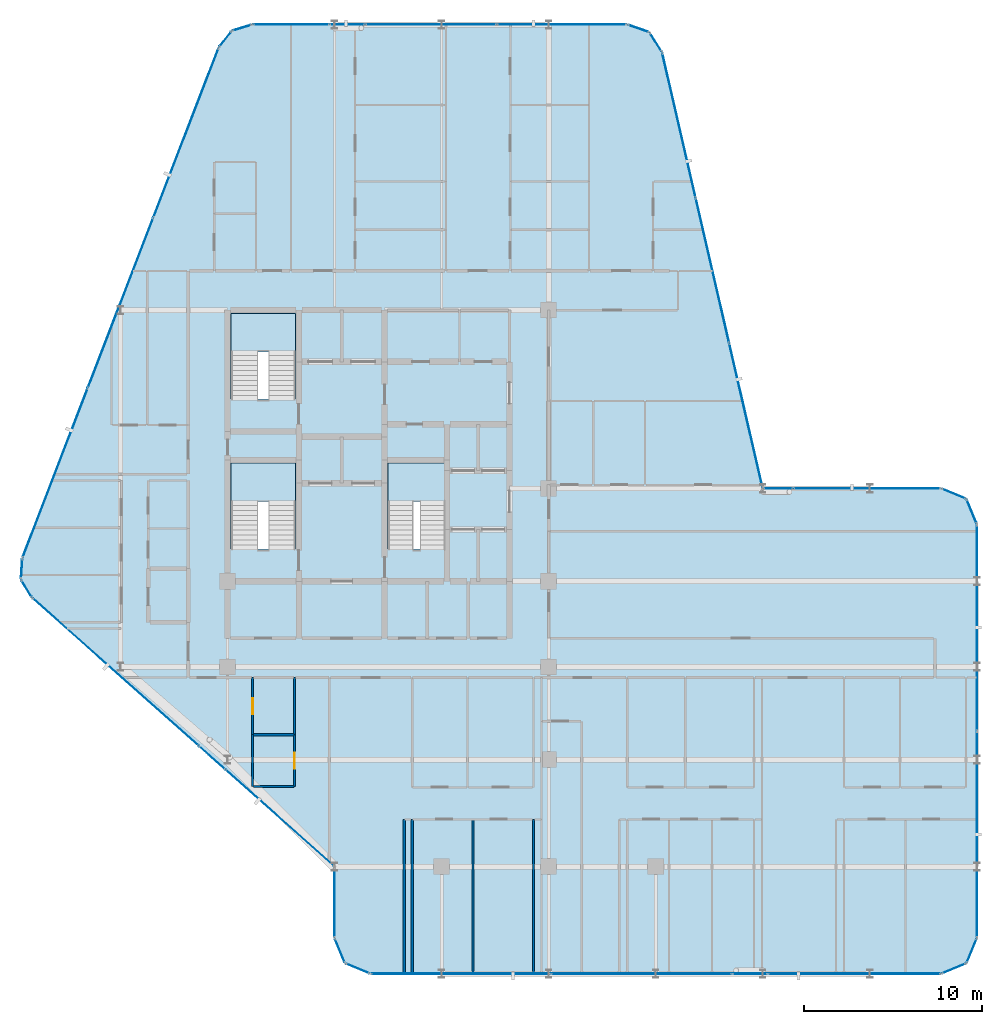
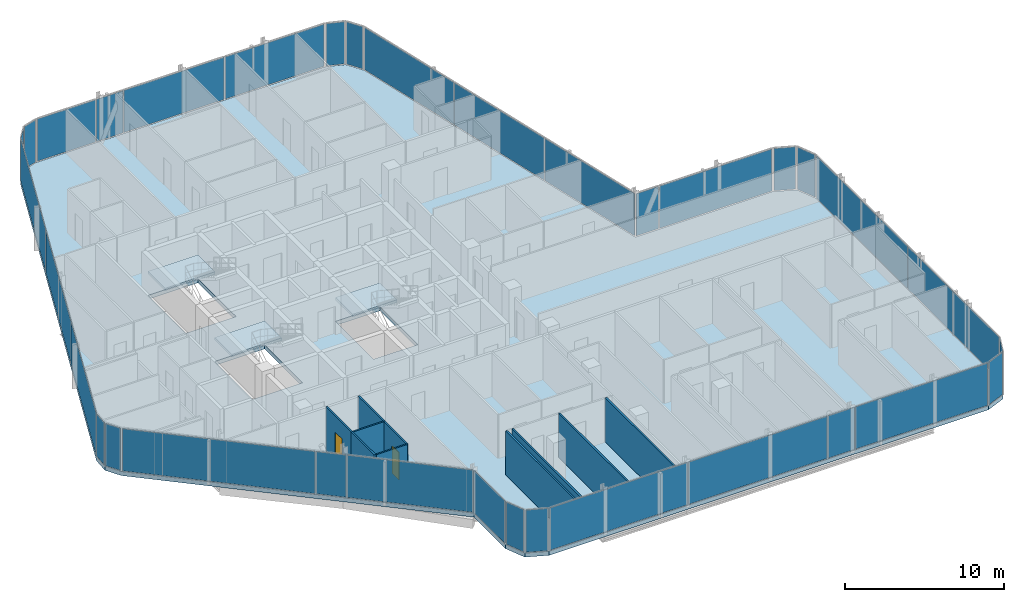
# One storey, part 22 of 29: 34 plates, 10 walls, 4 slabs, 2 doors, 2 openings, 30 elements without a shape of their own.
"""IFC4 building model written with IfcOpenShell, lengths in metres."""

from ifc_helpers import new_model, si_unit, direction, frame, frame_2d, origin, origin_2d, place, context, subcontext, project, spatial, polyline, rectangle, outline, extrude, material, layer, layer_set, type_object, element, fill, aggregate, save


model = new_model("IFC4")

# Units and contexts
model_context = context("Model", 3, precision=1e-05, world=origin(), true_north=direction((0.0, 1.0)))
body_context = subcontext(model_context, "Body", "Model", "MODEL_VIEW")
ifc_project = project(units=[si_unit("LENGTHUNIT", "METRE"), si_unit("AREAUNIT", "SQUARE_METRE"), si_unit("VOLUMEUNIT", "CUBIC_METRE"), si_unit("PLANEANGLEUNIT", "RADIAN"), si_unit("MASSUNIT", "GRAM", prefix="KILO")], contexts=[model_context])

# Site, building, storey
site_placement = place(None, origin())
site = spatial("IfcSite", under=ifc_project, at=site_placement, CompositionType="ELEMENT")
building_placement = place(site_placement, origin())
building = spatial("IfcBuilding", under=site, at=building_placement, Name="Keshet Zoharim Tower", CompositionType="ELEMENT")
storey_placement = place(building_placement, frame((0.0, 0.0, 172.800048828125)))
storey = spatial("IfcBuildingStorey", under=building, at=storey_placement, Name="L42", CompositionType="ELEMENT", Elevation=172.800048828125)

# Curtain wall, plate
ifc_material_1 = material(Name="Aluminium 6063-T6", Category="aluminium")
ifc_layer_1 = layer(ifc_material_1, 0.139892578125)
ifc_layer_set_1 = layer_set([ifc_layer_1], Name="Aluminium 6063-T6")
curtain_wall_type = type_object("IfcCurtainWallType", Name="CW-SYS-05", PredefinedType="NOTDEFINED", material=ifc_layer_set_1)
curtain_wall_1_placement = place(storey_placement, origin())
curtain_wall_1 = element("IfcCurtainWall", 1, at=curtain_wall_1_placement, inside=storey, type_object=curtain_wall_type, Name="L42 Unitised Curtain Wall 01", PredefinedType="NOTDEFINED")
ifc_material_2 = material(Name="Insulated Low-E Clear Glass", Category="glass")
ifc_layer_2 = layer(ifc_material_2, 0.031982421875)
ifc_layer_set_2 = layer_set([ifc_layer_2], Name="Insulated Low-E Clear Glass")
plate_type_1 = type_object("IfcPlateType", Name="CWP-02", PredefinedType="CURTAIN_PANEL", material=ifc_layer_set_2)
plate_1_placement = place(storey_placement, frame((55.70703125, 27.60693359375, 0.070068359375), z_axis=(0.0, 0.0, 1.0), x_axis=(0.92380975372, -0.382851849847, 0.0)))
plate_1 = element("IfcPlate", 2, at=plate_1_placement, type_object=plate_type_1, Name="CW-05 panel 1.1", PredefinedType="CURTAIN_PANEL", context=body_context, shape_type="SweptSolid", body=[
    extrude(rectangle(XDim=1.390625, YDim=0.031982421875, at=origin_2d()), origin(), (0.0, 0.0, 1.0), 3.25),
])
aggregate(curtain_wall_1, [plate_1])

curtain_wall_2_placement = place(storey_placement, origin())
curtain_wall_2 = element("IfcCurtainWall", 3, at=curtain_wall_2_placement, inside=storey, type_object=curtain_wall_type, Name="L42 Unitised Curtain Wall 02", PredefinedType="NOTDEFINED")
plate_2_placement = place(storey_placement, frame((56.70703125, 26.60693359375, 0.070068359375), z_axis=(0.0, 0.0, 1.0), x_axis=(0.382851849847, -0.92380975372, 0.0)))
plate_2 = element("IfcPlate", 4, at=plate_2_placement, type_object=plate_type_1, Name="CW-05 panel 1.1", PredefinedType="CURTAIN_PANEL", context=body_context, shape_type="SweptSolid", body=[
    extrude(rectangle(XDim=1.390625, YDim=0.031982421875, at=origin_2d()), origin(), (0.0, 0.0, 1.0), 3.25),
])
aggregate(curtain_wall_2, [plate_2])

# Curtain wall, plates
curtain_wall_3_placement = place(storey_placement, origin())
curtain_wall_3 = element("IfcCurtainWall", 5, at=curtain_wall_3_placement, inside=storey, type_object=curtain_wall_type, Name="L42 Unitised Curtain Wall 03", PredefinedType="NOTDEFINED")
plate_3_placement = place(storey_placement, frame((57.0, 20.08251953125, 0.070068359375), z_axis=(0.0, 0.0, 1.0), x_axis=(0.0, -1.0, 0.0)))
plate_3 = element("IfcPlate", 6, at=plate_3_placement, type_object=plate_type_1, Name="CW-05 panel 1.1", PredefinedType="CURTAIN_PANEL", context=body_context, shape_type="SweptSolid", body=[
    extrude(rectangle(XDim=11.4951171875, YDim=0.031982421875, at=origin_2d()), origin(), (0.0, 0.0, 1.0), 3.25),
])
plate_4_placement = place(storey_placement, frame((57.0, 8.517578125, 0.070068359375), z_axis=(0.0, 0.0, 1.0), x_axis=(0.0, -1.0, 0.0)))
plate_4 = element("IfcPlate", 7, at=plate_4_placement, type_object=plate_type_1, Name="CW-05 panel 2.1", PredefinedType="CURTAIN_PANEL", context=body_context, shape_type="SweptSolid", body=[
    extrude(rectangle(XDim=11.4951171875, YDim=0.031982421875, at=origin_2d()), origin(), (0.0, 0.0, 1.0), 3.25),
])
aggregate(curtain_wall_3, [plate_3, plate_4])

# Curtain wall, plate
curtain_wall_4_placement = place(storey_placement, origin())
curtain_wall_4 = element("IfcCurtainWall", 8, at=curtain_wall_4_placement, inside=storey, type_object=curtain_wall_type, Name="L42 Unitised Curtain Wall 04", PredefinedType="NOTDEFINED")
plate_5_placement = place(storey_placement, frame((56.70703125, 1.992919921875, 0.070068359375), z_axis=(0.0, 0.0, 1.0), x_axis=(-0.382851849847, -0.92380975372, 0.0)))
plate_5 = element("IfcPlate", 9, at=plate_5_placement, type_object=plate_type_1, Name="CW-05 panel 1.1", PredefinedType="CURTAIN_PANEL", context=body_context, shape_type="SweptSolid", body=[
    extrude(rectangle(XDim=1.390625, YDim=0.031982421875, at=origin_2d()), origin(), (0.0, 0.0, 1.0), 3.25),
])
aggregate(curtain_wall_4, [plate_5])

curtain_wall_5_placement = place(storey_placement, origin())
curtain_wall_5 = element("IfcCurtainWall", 10, at=curtain_wall_5_placement, inside=storey, type_object=curtain_wall_type, Name="L42 Unitised Curtain Wall 05", PredefinedType="NOTDEFINED")
plate_6_placement = place(storey_placement, frame((55.70703125, 0.992919921875, 0.070068359375), z_axis=(0.0, 0.0, 1.0), x_axis=(-0.92380975372, -0.382851849847, 0.0)))
plate_6 = element("IfcPlate", 11, at=plate_6_placement, type_object=plate_type_1, Name="CW-05 panel 1.1", PredefinedType="CURTAIN_PANEL", context=body_context, shape_type="SweptSolid", body=[
    extrude(rectangle(XDim=1.390625, YDim=0.031982421875, at=origin_2d()), origin(), (0.0, 0.0, 1.0), 3.25),
])
aggregate(curtain_wall_5, [plate_6])

curtain_wall_6_placement = place(storey_placement, origin())
curtain_wall_6 = element("IfcCurtainWall", 12, at=curtain_wall_6_placement, inside=storey, type_object=curtain_wall_type, Name="L42 Unitised Curtain Wall 06", PredefinedType="NOTDEFINED")
plate_7_placement = place(storey_placement, frame((50.1240234375, 0.699951171875, 0.070068359375), z_axis=(0.0, 0.0, 1.0), x_axis=(-1.0, 0.0, 0.0)))
plate_7 = element("IfcPlate", 13, at=plate_7_placement, type_object=plate_type_1, Name="CW-05 panel 1.1", PredefinedType="CURTAIN_PANEL", context=body_context, shape_type="SweptSolid", body=[
    extrude(rectangle(XDim=9.61181640625, YDim=0.031982421875, at=origin_2d()), origin(), (0.0, 0.0, 1.0), 3.25),
])
aggregate(curtain_wall_6, [plate_7])

# Curtain wall, plates
curtain_wall_7_placement = place(storey_placement, origin())
curtain_wall_7 = element("IfcCurtainWall", 14, at=curtain_wall_7_placement, inside=storey, type_object=curtain_wall_type, Name="L42 Unitised Curtain Wall 06 Part 3", PredefinedType="NOTDEFINED")
plate_8_placement = place(storey_placement, frame((38.20654296875, 0.699951171875, 0.070068359375), z_axis=(0.0, 0.0, 1.0), x_axis=(-1.0, 0.0, 0.0)))
plate_8 = element("IfcPlate", 15, at=plate_8_placement, type_object=plate_type_1, Name="CW-05 panel 1.1", PredefinedType="CURTAIN_PANEL", context=body_context, shape_type="SweptSolid", body=[
    extrude(rectangle(XDim=10.091064453125, YDim=0.031982421875, at=origin_2d()), origin(), (0.0, 0.0, 1.0), 3.25),
])
plate_9_placement = place(storey_placement, frame((28.08056640625, 0.699951171875, 0.070068359375), z_axis=(0.0, 0.0, 1.0), x_axis=(-1.0, 0.0, 0.0)))
plate_9 = element("IfcPlate", 16, at=plate_9_placement, type_object=plate_type_1, Name="CW-05 panel 2.1", PredefinedType="CURTAIN_PANEL", context=body_context, shape_type="SweptSolid", body=[
    extrude(rectangle(XDim=10.02099609375, YDim=0.031982421875, at=origin_2d()), origin(), (0.0, 0.0, 1.0), 3.25),
])
aggregate(curtain_wall_7, [plate_8, plate_9])

# Curtain wall, plate
curtain_wall_8_placement = place(storey_placement, origin())
curtain_wall_8 = element("IfcCurtainWall", 17, at=curtain_wall_8_placement, inside=storey, type_object=curtain_wall_type, Name="L42 Unitised Curtain Wall 07", PredefinedType="NOTDEFINED")
plate_10_placement = place(storey_placement, frame((22.29296875, 0.992919921875, 0.070068359375), z_axis=(0.0, 0.0, 1.0), x_axis=(-0.92380975372, 0.382851849847, 0.0)))
plate_10 = element("IfcPlate", 18, at=plate_10_placement, type_object=plate_type_1, Name="CW-05 panel 1.1", PredefinedType="CURTAIN_PANEL", context=body_context, shape_type="SweptSolid", body=[
    extrude(rectangle(XDim=1.390625, YDim=0.031982421875, at=origin_2d()), origin(), (0.0, 0.0, 1.0), 3.25),
])
aggregate(curtain_wall_8, [plate_10])

curtain_wall_9_placement = place(storey_placement, origin())
curtain_wall_9 = element("IfcCurtainWall", 19, at=curtain_wall_9_placement, inside=storey, type_object=curtain_wall_type, Name="L42 Unitised Curtain Wall 08", PredefinedType="NOTDEFINED")
plate_11_placement = place(storey_placement, frame((21.29296875, 1.992919921875, 0.070068359375), z_axis=(0.0, 0.0, 1.0), x_axis=(-0.382851849847, 0.92380975372, 0.0)))
plate_11 = element("IfcPlate", 20, at=plate_11_placement, type_object=plate_type_1, Name="CW-05 panel 1.1", PredefinedType="CURTAIN_PANEL", context=body_context, shape_type="SweptSolid", body=[
    extrude(rectangle(XDim=1.390625, YDim=0.031982421875, at=origin_2d()), origin(), (0.0, 0.0, 1.0), 3.25),
])
aggregate(curtain_wall_9, [plate_11])

curtain_wall_10_placement = place(storey_placement, origin())
curtain_wall_10 = element("IfcCurtainWall", 21, at=curtain_wall_10_placement, inside=storey, type_object=curtain_wall_type, Name="L42 Unitised Curtain Wall 09", PredefinedType="NOTDEFINED")
plate_12_placement = place(storey_placement, frame((21.0, 4.699951171875, 0.070068359375), z_axis=(0.0, 0.0, 1.0), x_axis=(0.0, 1.0, 0.0)))
plate_12 = element("IfcPlate", 22, at=plate_12_placement, type_object=plate_type_1, Name="CW-05 panel 1.1", PredefinedType="CURTAIN_PANEL", context=body_context, shape_type="SweptSolid", body=[
    extrude(rectangle(XDim=3.860107421875, YDim=0.031982421875, at=origin_2d()), origin(), (0.0, 0.0, 1.0), 3.25),
])
aggregate(curtain_wall_10, [plate_12])

curtain_wall_11_placement = place(storey_placement, origin())
curtain_wall_11 = element("IfcCurtainWall", 23, at=curtain_wall_11_placement, inside=storey, type_object=curtain_wall_type, Name="L42 Unitised Curtain Wall 10", PredefinedType="NOTDEFINED")
plate_13_placement = place(storey_placement, frame((17.92724609375, 9.431396484375, 0.070068359375), z_axis=(0.0, 0.0, 1.0), x_axis=(-0.74740596379, 0.664367613066, 0.0)))
plate_13 = element("IfcPlate", 24, at=plate_13_placement, type_object=plate_type_1, Name="CW-05 panel 1.1", PredefinedType="CURTAIN_PANEL", context=body_context, shape_type="SweptSolid", body=[
    extrude(rectangle(XDim=8.082763671875, YDim=0.031982421875, at=origin_2d()), origin(), (0.0, 0.0, 1.0), 3.25),
])
aggregate(curtain_wall_11, [plate_13])

curtain_wall_12_placement = place(storey_placement, origin())
curtain_wall_12 = element("IfcCurtainWall", 25, at=curtain_wall_12_placement, inside=storey, type_object=curtain_wall_type, Name="L42 Unitised Curtain Wall 10 Part 3", PredefinedType="NOTDEFINED")
plate_14_placement = place(storey_placement, frame((8.724853515625, 17.611328125, 0.070068359375), z_axis=(0.0, 0.0, 1.0), x_axis=(-0.747406666066, 0.664366823013, 0.0)))
plate_14 = element("IfcPlate", 26, at=plate_14_placement, type_object=plate_type_1, Name="CW-05 panel 1.1", PredefinedType="CURTAIN_PANEL", context=body_context, shape_type="SweptSolid", body=[
    extrude(rectangle(XDim=12.40966796875, YDim=0.031982421875, at=origin_2d()), origin(), (0.0, 0.0, 1.0), 3.25),
])
aggregate(curtain_wall_12, [plate_14])

curtain_wall_13_placement = place(storey_placement, origin())
curtain_wall_13 = element("IfcCurtainWall", 27, at=curtain_wall_13_placement, inside=storey, type_object=curtain_wall_type, Name="L42 Unitised Curtain Wall 11", PredefinedType="NOTDEFINED")
plate_15_placement = place(storey_placement, frame((3.7275390625, 22.291015625, 0.070068359375), z_axis=(0.0, 0.0, 1.0), x_axis=(-0.515604947933, 0.856826433805, 0.0)))
plate_15 = element("IfcPlate", 28, at=plate_15_placement, type_object=plate_type_1, Name="CW-05 panel 1.1", PredefinedType="CURTAIN_PANEL", context=body_context, shape_type="SweptSolid", body=[
    extrude(rectangle(XDim=1.052734375, YDim=0.031982421875, at=origin_2d()), origin(), (0.0, 0.0, 1.0), 3.25),
])
aggregate(curtain_wall_13, [plate_15])

curtain_wall_14_placement = place(storey_placement, origin())
curtain_wall_14 = element("IfcCurtainWall", 29, at=curtain_wall_14_placement, inside=storey, type_object=curtain_wall_type, Name="L42 Unitised Curtain Wall 12", PredefinedType="NOTDEFINED")
plate_16_placement = place(storey_placement, frame((3.45849609375, 23.3974609375, 0.070068359375), z_axis=(0.0, 0.0, 1.0), x_axis=(0.064516859374, 0.997916617186, 0.0)))
plate_16 = element("IfcPlate", 30, at=plate_16_placement, type_object=plate_type_1, Name="CW-05 panel 1.1", PredefinedType="CURTAIN_PANEL", context=body_context, shape_type="SweptSolid", body=[
    extrude(rectangle(XDim=1.053466796875, YDim=0.031982421875, at=origin_2d()), origin(), (0.0, 0.0, 1.0), 3.25),
])
aggregate(curtain_wall_14, [plate_16])

# Curtain wall, plates
curtain_wall_15_placement = place(storey_placement, origin())
curtain_wall_15 = element("IfcCurtainWall", 31, at=curtain_wall_15_placement, inside=storey, type_object=curtain_wall_type, Name="L42 Unitised Curtain Wall 13", PredefinedType="NOTDEFINED")
plate_17_placement = place(storey_placement, frame((5.33837890625, 28.7802734375, 0.070068359375), z_axis=(0.0, 0.0, 1.0), x_axis=(0.358990003907, 0.933341404361, 0.0)))
plate_17 = element("IfcPlate", 32, at=plate_17_placement, type_object=plate_type_1, Name="CW-05 panel 1.1", PredefinedType="CURTAIN_PANEL", context=body_context, shape_type="SweptSolid", body=[
    extrude(rectangle(XDim=10.1181640625, YDim=0.031982421875, at=origin_2d()), origin(), (0.0, 0.0, 1.0), 3.25),
])
plate_18_placement = place(storey_placement, frame((9.001953125, 38.305419921875, 0.070068359375), z_axis=(0.0, 0.0, 1.0), x_axis=(0.358990003907, 0.933341404361, 0.0)))
plate_18 = element("IfcPlate", 33, at=plate_18_placement, type_object=plate_type_1, Name="CW-05 panel 2.1", PredefinedType="CURTAIN_PANEL", context=body_context, shape_type="SweptSolid", body=[
    extrude(rectangle(XDim=10.153076171875, YDim=0.031982421875, at=origin_2d()), origin(), (0.0, 0.0, 1.0), 3.25),
])
plate_19_placement = place(storey_placement, frame((12.665771484375, 47.830810546875, 0.070068359375), z_axis=(0.0, 0.0, 1.0), x_axis=(0.358990003907, 0.933341404361, 0.0)))
plate_19 = element("IfcPlate", 34, at=plate_19_placement, type_object=plate_type_1, Name="CW-05 panel 3.1", PredefinedType="CURTAIN_PANEL", context=body_context, shape_type="SweptSolid", body=[
    extrude(rectangle(XDim=10.1181640625, YDim=0.031982421875, at=origin_2d()), origin(), (0.0, 0.0, 1.0), 3.25),
])
aggregate(curtain_wall_15, [plate_17, plate_18, plate_19])

# Curtain wall, plate
curtain_wall_16_placement = place(storey_placement, origin())
curtain_wall_16 = element("IfcCurtainWall", 35, at=curtain_wall_16_placement, inside=storey, type_object=curtain_wall_type, Name="L42 Unitised Curtain Wall 14", PredefinedType="NOTDEFINED")
plate_20_placement = place(storey_placement, frame((14.8740234375, 53.08349609375, 0.070068359375), z_axis=(0.0, 0.0, 1.0), x_axis=(0.619124525989, 0.785292825205, 0.0)))
plate_20 = element("IfcPlate", 36, at=plate_20_placement, type_object=plate_type_1, Name="CW-05 panel 1.1", PredefinedType="CURTAIN_PANEL", context=body_context, shape_type="SweptSolid", body=[
    extrude(rectangle(XDim=1.045654296875, YDim=0.031982421875, at=origin_2d()), origin(), (0.0, 0.0, 1.0), 3.25),
])
aggregate(curtain_wall_16, [plate_20])

curtain_wall_17_placement = place(storey_placement, origin())
curtain_wall_17 = element("IfcCurtainWall", 37, at=curtain_wall_17_placement, inside=storey, type_object=curtain_wall_type, Name="L42 Unitised Curtain Wall 15", PredefinedType="NOTDEFINED")
plate_21_placement = place(storey_placement, frame((15.8076171875, 53.724609375, 0.070068359375), z_axis=(0.0, 0.0, 1.0), x_axis=(0.955212151288, 0.295921857984, 0.0)))
plate_21 = element("IfcPlate", 38, at=plate_21_placement, type_object=plate_type_1, Name="CW-05 panel 1.1", PredefinedType="CURTAIN_PANEL", context=body_context, shape_type="SweptSolid", body=[
    extrude(rectangle(XDim=1.046142578125, YDim=0.031982421875, at=origin_2d()), origin(), (0.0, 0.0, 1.0), 3.25),
])
aggregate(curtain_wall_17, [plate_21])

curtain_wall_18_placement = place(storey_placement, origin())
curtain_wall_18 = element("IfcCurtainWall", 39, at=curtain_wall_18_placement, inside=storey, type_object=curtain_wall_type, Name="L42 Unitised Curtain Wall 16", PredefinedType="NOTDEFINED")
plate_22_placement = place(storey_placement, frame((18.56298828125, 53.89990234375, 0.070068359375), z_axis=(0.0, 0.0, 1.0), x_axis=(1.0, 0.0, 0.0)))
plate_22 = element("IfcPlate", 40, at=plate_22_placement, type_object=plate_type_1, Name="CW-05 panel 1.1", PredefinedType="CURTAIN_PANEL", context=body_context, shape_type="SweptSolid", body=[
    extrude(rectangle(XDim=4.23779296875, YDim=0.031982421875, at=origin_2d()), origin(), (0.0, 0.0, 1.0), 3.25),
])
aggregate(curtain_wall_18, [plate_22])

# Curtain wall, plates
curtain_wall_19_placement = place(storey_placement, origin())
curtain_wall_19 = element("IfcCurtainWall", 41, at=curtain_wall_19_placement, inside=storey, type_object=curtain_wall_type, Name="L42 Unitised Curtain Wall 16 Part 3", PredefinedType="NOTDEFINED")
plate_23_placement = place(storey_placement, frame((26.395751953125, 53.89990234375, 0.070068359375), z_axis=(0.0, 0.0, 1.0), x_axis=(1.0, 0.0, 0.0)))
plate_23 = element("IfcPlate", 42, at=plate_23_placement, type_object=plate_type_1, Name="CW-05 panel 1.1", PredefinedType="CURTAIN_PANEL", context=body_context, shape_type="SweptSolid", body=[
    extrude(rectangle(XDim=7.29541015625, YDim=0.031982421875, at=origin_2d()), origin(), (0.0, 0.0, 1.0), 3.25),
])
plate_24_placement = place(storey_placement, frame((33.726318359375, 53.89990234375, 0.070068359375), z_axis=(0.0, 0.0, 1.0), x_axis=(1.0, 0.0, 0.0)))
plate_24 = element("IfcPlate", 43, at=plate_24_placement, type_object=plate_type_1, Name="CW-05 panel 2.1", PredefinedType="CURTAIN_PANEL", context=body_context, shape_type="SweptSolid", body=[
    extrude(rectangle(XDim=7.225341796875, YDim=0.031982421875, at=origin_2d()), origin(), (0.0, 0.0, 1.0), 3.25),
])
aggregate(curtain_wall_19, [plate_23, plate_24])

# Curtain wall, plate
curtain_wall_20_placement = place(storey_placement, origin())
curtain_wall_20 = element("IfcCurtainWall", 44, at=curtain_wall_20_placement, inside=storey, type_object=curtain_wall_type, Name="L42 Unitised Curtain Wall 17", PredefinedType="NOTDEFINED")
plate_25_placement = place(storey_placement, frame((38.031494140625, 53.6826171875, 0.070068359375), z_axis=(0.0, 0.0, 1.0), x_axis=(0.944035542119, -0.329843743636, 0.0)))
plate_25 = element("IfcPlate", 45, at=plate_25_placement, type_object=plate_type_1, Name="CW-05 panel 1.1", PredefinedType="CURTAIN_PANEL", context=body_context, shape_type="SweptSolid", body=[
    extrude(rectangle(XDim=1.1787109375, YDim=0.031982421875, at=origin_2d()), origin(), (0.0, 0.0, 1.0), 3.25),
])
aggregate(curtain_wall_20, [plate_25])

curtain_wall_21_placement = place(storey_placement, origin())
curtain_wall_21 = element("IfcCurtainWall", 46, at=curtain_wall_21_placement, inside=storey, type_object=curtain_wall_type, Name="L42 Unitised Curtain Wall 18", PredefinedType="NOTDEFINED")
plate_26_placement = place(storey_placement, frame((39.006103515625, 52.907470703125, 0.070068359375), z_axis=(0.0, 0.0, 1.0), x_axis=(0.533878858502, -0.845560976183, 0.0)))
plate_26 = element("IfcPlate", 47, at=plate_26_placement, type_object=plate_type_1, Name="CW-05 panel 1.1", PredefinedType="CURTAIN_PANEL", context=body_context, shape_type="SweptSolid", body=[
    extrude(rectangle(XDim=1.1787109375, YDim=0.031982421875, at=origin_2d()), origin(), (0.0, 0.0, 1.0), 3.25),
])
aggregate(curtain_wall_21, [plate_26])

# Curtain wall, plates
curtain_wall_22_placement = place(storey_placement, origin())
curtain_wall_22 = element("IfcCurtainWall", 48, at=curtain_wall_22_placement, inside=storey, type_object=curtain_wall_type, Name="L42 Unitised Curtain Wall 19", PredefinedType="NOTDEFINED")
plate_27_placement = place(storey_placement, frame((40.30224609375, 48.258056640625, 0.070068359375), z_axis=(0.0, 0.0, 1.0), x_axis=(0.224847864369, -0.974393882313, 0.0)))
plate_27 = element("IfcPlate", 49, at=plate_27_placement, type_object=plate_type_1, Name="CW-05 panel 1.1", PredefinedType="CURTAIN_PANEL", context=body_context, shape_type="SweptSolid", body=[
    extrude(rectangle(XDim=8.25927734375, YDim=0.031982421875, at=origin_2d()), origin(), (0.0, 0.0, 1.0), 3.25),
])
plate_28_placement = place(storey_placement, frame((42.178955078125, 40.125, 0.070068359375), z_axis=(0.0, 0.0, 1.0), x_axis=(0.224847864369, -0.974393882313, 0.0)))
plate_28 = element("IfcPlate", 50, at=plate_28_placement, type_object=plate_type_1, Name="CW-05 panel 2.1", PredefinedType="CURTAIN_PANEL", context=body_context, shape_type="SweptSolid", body=[
    extrude(rectangle(XDim=8.294189453125, YDim=0.031982421875, at=origin_2d()), origin(), (0.0, 0.0, 1.0), 3.25),
])
plate_29_placement = place(storey_placement, frame((44.0556640625, 31.991943359375, 0.070068359375), z_axis=(0.0, 0.0, 1.0), x_axis=(0.224847864369, -0.974393882313, 0.0)))
plate_29 = element("IfcPlate", 51, at=plate_29_placement, type_object=plate_type_1, Name="CW-05 panel 3.1", PredefinedType="CURTAIN_PANEL", context=body_context, shape_type="SweptSolid", body=[
    extrude(rectangle(XDim=8.25927734375, YDim=0.031982421875, at=origin_2d()), origin(), (0.0, 0.0, 1.0), 3.25),
])
aggregate(curtain_wall_22, [plate_27, plate_28, plate_29])

# Curtain wall, plate
curtain_wall_23_placement = place(storey_placement, origin())
curtain_wall_23 = element("IfcCurtainWall", 52, at=curtain_wall_23_placement, inside=storey, type_object=curtain_wall_type, Name="L42 Unitised Curtain Wall 20 Part 2", PredefinedType="NOTDEFINED")
plate_30_placement = place(storey_placement, frame((50.839111328125, 27.89990234375, 0.070068359375), z_axis=(0.0, 0.0, 1.0), x_axis=(1.0, 0.0, 0.0)))
plate_30 = element("IfcPlate", 53, at=plate_30_placement, type_object=plate_type_1, Name="CW-05 panel 1.1", PredefinedType="CURTAIN_PANEL", context=body_context, shape_type="SweptSolid", body=[
    extrude(rectangle(XDim=8.181884765625, YDim=0.031982421875, at=origin_2d()), origin(), (0.0, 0.0, 1.0), 3.25),
])
aggregate(curtain_wall_23, [plate_30])

curtain_wall_24_placement = place(storey_placement, origin())
curtain_wall_24 = element("IfcCurtainWall", 54, at=curtain_wall_24_placement, inside=storey, type_object=curtain_wall_type, Name="L42 Unitised Curtain Wall 06 Part 2", PredefinedType="NOTDEFINED")
ifc_material_3 = material(Name="Insulated Aluminium Spandrel Panel", Category="aluminium")
ifc_layer_3 = layer(ifc_material_3, 0.031982421875)
ifc_layer_set_3 = layer_set([ifc_layer_3], Name="Insulated Aluminium Spandrel Panel")
plate_type_2 = type_object("IfcPlateType", Name="CWP-05", PredefinedType="CURTAIN_PANEL", material=ifc_layer_set_3)
plate_31_placement = place(storey_placement, frame((44.284912109375, 0.699951171875, 0.070068359375), z_axis=(0.0, 0.0, 1.0), x_axis=(-1.0, 0.0, 0.0)))
plate_31 = element("IfcPlate", 55, at=plate_31_placement, type_object=plate_type_2, Name="CW-05 spandrel panel 1.1", PredefinedType="CURTAIN_PANEL", context=body_context, shape_type="SweptSolid", body=[
    extrude(rectangle(XDim=1.92626953125, YDim=0.031982421875, at=origin_2d()), origin(), (0.0, 0.0, 1.0), 3.25),
])
aggregate(curtain_wall_24, [plate_31])

curtain_wall_25_placement = place(storey_placement, origin())
curtain_wall_25 = element("IfcCurtainWall", 56, at=curtain_wall_25_placement, inside=storey, type_object=curtain_wall_type, Name="L42 Unitised Curtain Wall 10 Part 2", PredefinedType="NOTDEFINED")
plate_32_placement = place(storey_placement, frame((14.134521484375, 12.802734375, 0.070068359375), z_axis=(0.0, 0.0, 1.0), x_axis=(-0.747439721297, 0.664329634314, 0.0)))
plate_32 = element("IfcPlate", 57, at=plate_32_placement, type_object=plate_type_2, Name="CW-05 spandrel panel 1.1", PredefinedType="CURTAIN_PANEL", context=body_context, shape_type="SweptSolid", body=[
    extrude(rectangle(XDim=1.92626953125, YDim=0.031982421875, at=origin_2d()), origin(), (0.0, 0.0, 1.0), 3.25),
])
aggregate(curtain_wall_25, [plate_32])

curtain_wall_26_placement = place(storey_placement, origin())
curtain_wall_26 = element("IfcCurtainWall", 58, at=curtain_wall_26_placement, inside=storey, type_object=curtain_wall_type, Name="L42 Unitised Curtain Wall 16 Part 2", PredefinedType="NOTDEFINED")
plate_33_placement = place(storey_placement, frame((21.715087890625, 53.89990234375, 0.070068359375), z_axis=(0.0, 0.0, 1.0), x_axis=(1.0, 0.0, 0.0)))
plate_33 = element("IfcPlate", 59, at=plate_33_placement, type_object=plate_type_2, Name="CW-05 spandrel panel 1.1", PredefinedType="CURTAIN_PANEL", context=body_context, shape_type="SweptSolid", body=[
    extrude(rectangle(XDim=1.92626953125, YDim=0.031982421875, at=origin_2d()), origin(), (0.0, 0.0, 1.0), 3.25),
])
aggregate(curtain_wall_26, [plate_33])

curtain_wall_27_placement = place(storey_placement, origin())
curtain_wall_27 = element("IfcCurtainWall", 60, at=curtain_wall_27_placement, inside=storey, type_object=curtain_wall_type, Name="L42 Unitised Curtain Wall 20", PredefinedType="NOTDEFINED")
plate_34_placement = place(storey_placement, frame((45.8740234375, 27.89990234375, 0.070068359375), z_axis=(0.0, 0.0, 1.0), x_axis=(1.0, 0.0, 0.0)))
plate_34 = element("IfcPlate", 61, at=plate_34_placement, type_object=plate_type_2, Name="CW-05 spandrel panel 1.1", PredefinedType="CURTAIN_PANEL", context=body_context, shape_type="SweptSolid", body=[
    extrude(rectangle(XDim=1.608154296875, YDim=0.031982421875, at=origin_2d()), origin(), (0.0, 0.0, 1.0), 3.25),
])
aggregate(curtain_wall_27, [plate_34])

# Stair, slab
ifc_material_4 = material(Name="Concrete C50/60", Category="concrete")
stair_type = type_object("IfcStairType", Name="STR-EXIT-135", PredefinedType="HALF_TURN_STAIR", material=ifc_material_4)
stair_1_placement = place(storey_placement, origin())
stair_1 = element("IfcStair", 62, at=stair_1_placement, inside=storey, type_object=stair_type, Name="L42 Enclosed Exit Stair ST-01", PredefinedType="HALF_TURN_STAIR")
ifc_layer_4 = layer(ifc_material_4, 0.199951171875)
ifc_layer_set_4 = layer_set([ifc_layer_4], Name="Concrete C50/60")
slab_type_1 = type_object("IfcSlabType", Name="SLB-LND-200", PredefinedType="LANDING", material=ifc_layer_set_4)
slab_1_placement = place(storey_placement, frame((0.0, 0.0, 1.64990234375)))
slab_1 = element("IfcSlab", 63, at=slab_1_placement, type_object=slab_type_1, Name="ST-01 landing 1", PredefinedType="LANDING", context=body_context, shape_type="SweptSolid", body=[
    extrude(outline(polyline([(15.179931640625, 27.159912109375), (18.820068359375, 27.159912109375), (18.820068359375, 29.320068359375), (15.179931640625, 29.320068359375), (15.179931640625, 27.159912109375)])), origin(), (0.0, 0.0, 1.0), 0.199951171875),
])
aggregate(stair_1, [slab_1])

stair_2_placement = place(storey_placement, origin())
stair_2 = element("IfcStair", 64, at=stair_2_placement, inside=storey, type_object=stair_type, Name="L42 Enclosed Exit Stair ST-02", PredefinedType="HALF_TURN_STAIR")
slab_2_placement = place(storey_placement, frame((0.0, 0.0, 1.64990234375)))
slab_2 = element("IfcSlab", 65, at=slab_2_placement, type_object=slab_type_1, Name="ST-02 landing 1", PredefinedType="LANDING", context=body_context, shape_type="SweptSolid", body=[
    extrude(outline(polyline([(15.179931640625, 35.56005859375), (18.820068359375, 35.56005859375), (18.820068359375, 37.719970703125), (15.179931640625, 37.719970703125), (15.179931640625, 35.56005859375)])), origin(), (0.0, 0.0, 1.0), 0.199951171875),
])
aggregate(stair_2, [slab_2])

stair_3_placement = place(storey_placement, origin())
stair_3 = element("IfcStair", 66, at=stair_3_placement, inside=storey, type_object=stair_type, Name="L42 Enclosed Exit Stair ST-03", PredefinedType="HALF_TURN_STAIR")
slab_3_placement = place(storey_placement, frame((0.0, 0.0, 1.64990234375)))
slab_3 = element("IfcSlab", 67, at=slab_3_placement, type_object=slab_type_1, Name="ST-03 landing 1", PredefinedType="LANDING", context=body_context, shape_type="SweptSolid", body=[
    extrude(outline(polyline([(23.97998046875, 27.159912109375), (27.219970703125, 27.159912109375), (27.219970703125, 29.320068359375), (23.97998046875, 29.320068359375), (23.97998046875, 27.159912109375)])), origin(), (0.0, 0.0, 1.0), 0.199951171875),
])
aggregate(stair_3, [slab_3])

# Slab
ifc_layer_5 = layer(ifc_material_4, 0.31005859375)
ifc_layer_set_5 = layer_set([ifc_layer_5], Name="Concrete C50/60")
slab_type_2 = type_object("IfcSlabType", Name="SLB-UPP-240", PredefinedType="FLOOR", material=ifc_layer_set_5)
slab_4_placement = place(storey_placement, frame((0.0, 0.0, -0.31005859375)))
element("IfcSlab", 68, at=slab_4_placement, inside=storey, type_object=slab_type_2, Name="L42 Structural Floor Slab 1", PredefinedType="FLOOR", context=body_context, shape_type="SweptSolid", body=[
    extrude(outline(polyline([(55.0, 27.89990234375), (56.4140625, 27.31396484375), (57.0, 25.89990234375), (57.0, 2.699951171875), (56.4140625, 1.285888671875), (55.0, 0.699951171875), (23.0, 0.699951171875), (21.5859375, 1.285888671875), (21.0, 2.699951171875), (21.0, 6.699951171875), (4.034912109375, 21.780029296875), (3.419921875, 22.802001953125), (3.4970703125, 23.992919921875), (14.507080078125, 52.617919921875), (15.240966796875, 53.549072265625), (16.3740234375, 53.89990234375), (37.408935546875, 53.89990234375), (38.654052734375, 53.465087890625), (39.35791015625, 52.35009765625), (45.0, 27.89990234375), (55.0, 27.89990234375)]), holes=[polyline([(15.179931640625, 24.52001953125), (18.820068359375, 24.52001953125), (18.820068359375, 29.320068359375), (15.179931640625, 29.320068359375), (15.179931640625, 24.52001953125)]), polyline([(15.179931640625, 32.919921875), (18.820068359375, 32.919921875), (18.820068359375, 37.719970703125), (15.179931640625, 37.719970703125), (15.179931640625, 32.919921875)]), polyline([(23.97998046875, 24.52001953125), (27.219970703125, 24.52001953125), (27.219970703125, 29.320068359375), (23.97998046875, 29.320068359375), (23.97998046875, 24.52001953125)])]), origin(), (0.0, 0.0, 1.0), 0.31005859375),
])

# Wall, opening, door
ifc_material_5 = material(Name="Gypsum Plasterboard", Category="gypsum")
ifc_layer_6 = layer(ifc_material_5, 0.1201171875)
ifc_layer_set_6 = layer_set([ifc_layer_6], Name="Gypsum Plasterboard")
wall_type_1 = type_object("IfcWallType", Name="WL-PART-120", PredefinedType="PARTITIONING", material=ifc_layer_set_6)
wall_1_placement = place(storey_placement, frame((16.39990234375, 14.10009765625, 0.0), z_axis=(0.0, 0.0, 1.0), x_axis=(0.0, 1.0, 0.0)))
wall_1 = element("IfcWall", 69, at=wall_1_placement, inside=storey, type_object=wall_type_1, Name="L42 Interior Wall 020", PredefinedType="PARTITIONING", context=body_context, shape_type="SweptSolid", body=[
    extrude(rectangle(XDim=3.199951171875, YDim=0.1201171875, at=frame_2d((1.60009765625, 0.0))), origin(), (0.0, 0.0, 1.0), 3.389892578125),
])
opening_1_placement = place(wall_1_placement, frame((1.14990234375, 0.0, 0.0)))
opening_1 = element("IfcOpeningElement", 70, at=opening_1_placement, cuts=wall_1, Name="Opening D-IN90", PredefinedType="OPENING", context=body_context, shape_type="SweptSolid", body=[
    extrude(rectangle(XDim=0.89990234375, YDim=2.14990234375, at=frame_2d((0.449951171875, 1.074951171875))), frame((0.0, 0.070068359375, 0.0), z_axis=(0.0, -1.0, 0.0), x_axis=(1.0, 0.0, 0.0)), (0.0, 0.0, 1.0), 0.14013671875),
])
ifc_material_6 = material(Name="Hardwood Timber", Category="wood")
door_type_1 = type_object("IfcDoorType", Name="DR-INT-090", OperationType="NOTDEFINED", PredefinedType="DOOR", material=ifc_material_6)
door_1_placement = place(opening_1_placement, origin())
door_1 = element("IfcDoor", 71, at=door_1_placement, inside=storey, type_object=door_type_1, Name="Apartment 4201 Kitchenette Door", OperationType="SINGLE_SWING_RIGHT", OverallHeight=2.14990234375, OverallWidth=0.89990234375, PredefinedType="DOOR", context=body_context, shape_type="SweptSolid", body=[
    extrude(rectangle(XDim=0.89990234375, YDim=2.14990234375, at=frame_2d((0.449951171875, 1.074951171875))), frame((0.0, 0.02490234375, 0.0), z_axis=(0.0, -1.0, 0.0), x_axis=(1.0, 0.0, 0.0)), (0.0, 0.0, 1.0), 0.050048828125),
])
fill(opening_1, door_1)

# Walls
wall_2_placement = place(storey_placement, frame((18.75, 14.10009765625, 0.0), z_axis=(0.0, 0.0, 1.0), x_axis=(0.0, 1.0, 0.0)))
element("IfcWall", 72, at=wall_2_placement, inside=storey, type_object=wall_type_1, Name="L42 Interior Wall 025", PredefinedType="PARTITIONING", context=body_context, shape_type="SweptSolid", body=[
    extrude(rectangle(XDim=3.199951171875, YDim=0.1201171875, at=frame_2d((1.60009765625, 0.0))), origin(), (0.0, 0.0, 1.0), 3.389892578125),
])
for number, where, z_axis, x_axis, name in (
    (73, (24.89990234375, 0.7099609375, 0.0), (0.0, 0.0, 1.0), (0.0, 1.0, 0.0), "L42 Interior Wall 044"),
    (74, (25.35009765625, 0.7099609375, 0.0), (0.0, 0.0, 1.0), (0.0, 1.0, 0.0), "L42 Interior Wall 045"),
    (75, (28.75, 0.7099609375, 0.0), (0.0, 0.0, 1.0), (0.0, 1.0, 0.0), "L42 Interior Wall 058"),
    (76, (32.14990234375, 0.7099609375, 0.0), (0.0, 0.0, 1.0), (0.0, 1.0, 0.0), "L42 Interior Wall 070"),
):
    element("IfcWall", number, at=place(storey_placement, frame(where, z_axis=z_axis, x_axis=x_axis)), inside=storey, type_object=wall_type_1, Name=name, PredefinedType="PARTITIONING", context=body_context, shape_type="SweptSolid", body=[
        extrude(rectangle(XDim=8.64013671875, YDim=0.1201171875, at=frame_2d((4.320068359375, 0.0))), origin(), (0.0, 0.0, 1.0), 3.389892578125),
    ])
ifc_layer_7 = layer(ifc_material_5, 0.1201171875)
ifc_layer_set_7 = layer_set([ifc_layer_7], Name="Gypsum Plasterboard")
wall_type_2 = type_object("IfcWallType", Name="WL-WET-120", PredefinedType="PARTITIONING", material=ifc_layer_set_7)
wall_3_placement = place(storey_placement, frame((16.39990234375, 11.199951171875, 0.0), z_axis=(0.0, 0.0, 1.0), x_axis=(0.0, 1.0, 0.0)))
element("IfcWall", 77, at=wall_3_placement, inside=storey, type_object=wall_type_2, Name="L42 Interior Wall 019", PredefinedType="PARTITIONING", context=body_context, shape_type="SweptSolid", body=[
    extrude(rectangle(XDim=2.900146484375, YDim=0.1201171875, at=frame_2d((1.4501953125, 0.0))), origin(), (0.0, 0.0, 1.0), 3.389892578125),
])

# Wall, opening, door
wall_4_placement = place(storey_placement, frame((18.75, 11.199951171875, 0.0), z_axis=(0.0, 0.0, 1.0), x_axis=(0.0, 1.0, 0.0)))
wall_4 = element("IfcWall", 78, at=wall_4_placement, inside=storey, type_object=wall_type_2, Name="L42 Interior Wall 024", PredefinedType="PARTITIONING", context=body_context, shape_type="SweptSolid", body=[
    extrude(rectangle(XDim=2.900146484375, YDim=0.1201171875, at=frame_2d((1.4501953125, 0.0))), origin(), (0.0, 0.0, 1.0), 3.389892578125),
])
opening_2_placement = place(wall_4_placement, frame((1.0, 0.0, 0.0)))
opening_2 = element("IfcOpeningElement", 79, at=opening_2_placement, cuts=wall_4, Name="Opening D-WT90", PredefinedType="OPENING", context=body_context, shape_type="SweptSolid", body=[
    extrude(rectangle(XDim=0.89990234375, YDim=2.10009765625, at=frame_2d((0.449951171875, 1.050048828125))), frame((0.0, 0.070068359375, 0.0), z_axis=(0.0, -1.0, 0.0), x_axis=(1.0, 0.0, 0.0)), (0.0, 0.0, 1.0), 0.14013671875),
])
door_type_2 = type_object("IfcDoorType", Name="DR-WET-090", OperationType="NOTDEFINED", PredefinedType="DOOR", material=ifc_material_6)
door_2_placement = place(opening_2_placement, origin())
door_2 = element("IfcDoor", 80, at=door_2_placement, inside=storey, type_object=door_type_2, Name="Apartment 4201 Bathroom Door", OperationType="SINGLE_SWING_LEFT", OverallHeight=2.10009765625, OverallWidth=0.89990234375, PredefinedType="DOOR", context=body_context, shape_type="SweptSolid", body=[
    extrude(rectangle(XDim=0.89990234375, YDim=2.10009765625, at=frame_2d((0.449951171875, 1.050048828125))), frame((0.0, 0.02490234375, 0.0), z_axis=(0.0, -1.0, 0.0), x_axis=(1.0, 0.0, 0.0)), (0.0, 0.0, 1.0), 0.050048828125),
])
fill(opening_2, door_2)

# Walls
for number, where, z_axis, x_axis, name in (
    (81, (16.465087890625, 11.199951171875, 0.0), (0.0, 0.0, 1.0), (1.0, 0.0, 0.0), "L42 Interior Wall 118"),
    (82, (16.465087890625, 14.10009765625, 0.0), (0.0, 0.0, 1.0), (1.0, 0.0, 0.0), "L42 Interior Wall 119"),
):
    element("IfcWall", number, at=place(storey_placement, frame(where, z_axis=z_axis, x_axis=x_axis)), inside=storey, type_object=wall_type_2, Name=name, PredefinedType="PARTITIONING", context=body_context, shape_type="SweptSolid", body=[
        extrude(rectangle(XDim=2.260009765625, YDim=0.1201171875, at=frame_2d((1.1298828125, 0.0))), origin(), (0.0, 0.0, 1.0), 3.389892578125),
    ])

save(model, "model.ifc")
